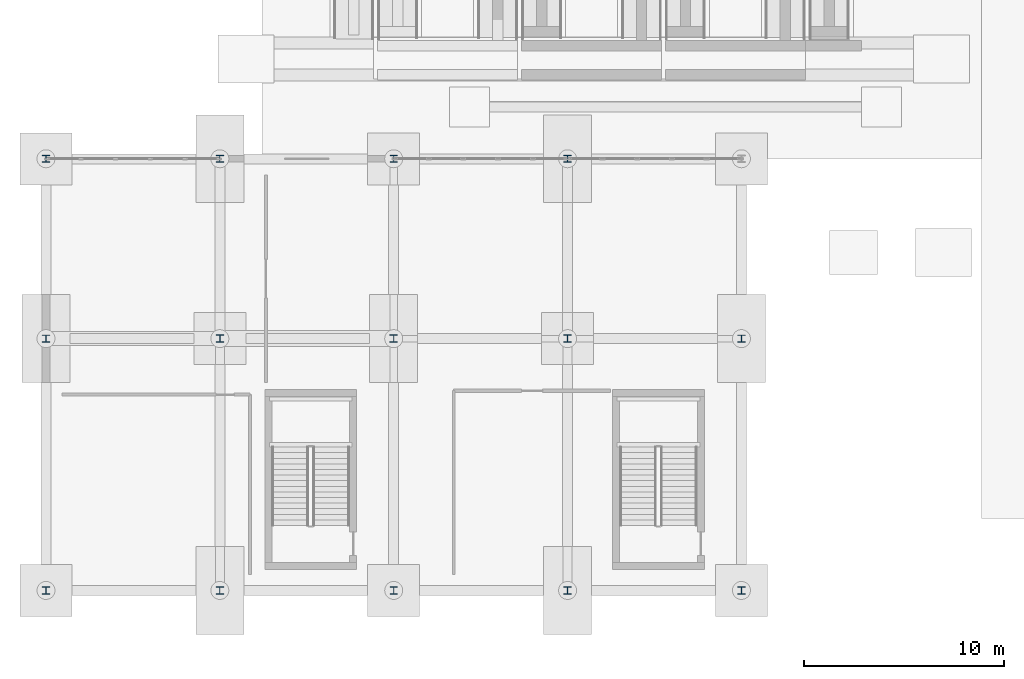
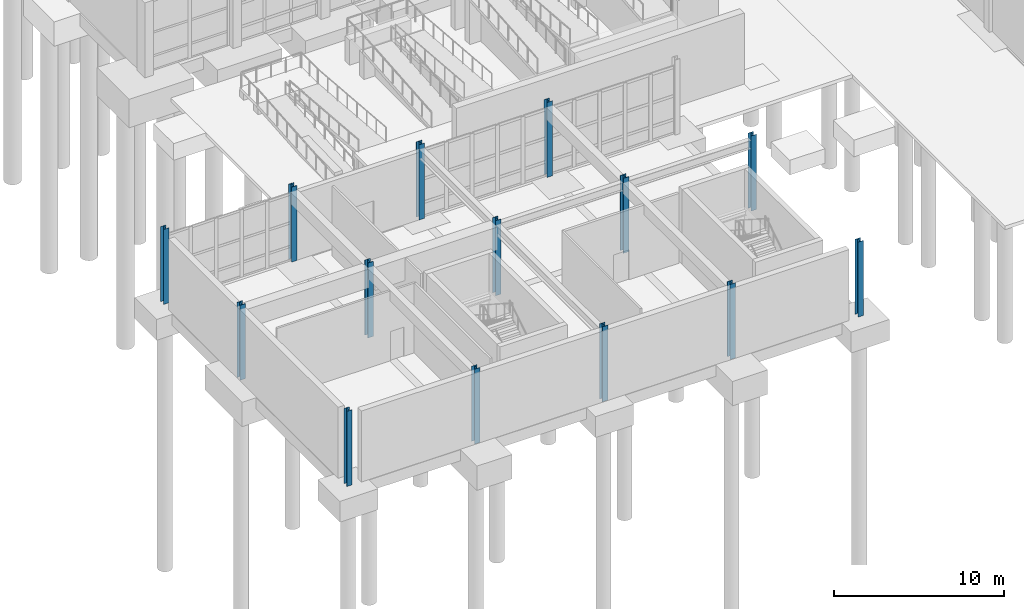
# One storey, part 12 of 69: 14 columns.
"""IFC4 building model written with IfcOpenShell, lengths in metres."""

from ifc_helpers import new_model, si_unit, direction, frame, origin, origin_2d, place, context, subcontext, project, spatial, i_section, extrude, material, material_profile, profile_set, type_object, element, save


model = new_model("IFC4")

# Units and contexts
model_context = context("Model", 3, precision=1e-05, world=origin(), true_north=direction((0.0, 1.0)))
body_context = subcontext(model_context, "Body", "Model", "MODEL_VIEW")
ifc_project = project(units=[si_unit("LENGTHUNIT", "METRE"), si_unit("AREAUNIT", "SQUARE_METRE"), si_unit("VOLUMEUNIT", "CUBIC_METRE"), si_unit("PLANEANGLEUNIT", "RADIAN"), si_unit("MASSUNIT", "GRAM", prefix="KILO")], contexts=[model_context])

# Site, building, storey
site_placement = place(None, origin())
site = spatial("IfcSite", under=ifc_project, at=site_placement, CompositionType="ELEMENT")
building_placement = place(site_placement, origin())
building = spatial("IfcBuilding", under=site, at=building_placement, Name="Vaelkrest Opera House", CompositionType="ELEMENT")
storey_placement = place(building_placement, frame((0.0, 0.0, -5.39990234375)))
storey = spatial("IfcBuildingStorey", under=building, at=storey_placement, Name="B1", CompositionType="ELEMENT", Elevation=-5.39990234375)

# Columns
ifc_material = material(Name="Steel A992 Gr50", Category="steel")
ifc_material_profile_1 = material_profile(ifc_material, i_section(OverallWidth=0.3740234375, OverallDepth=0.3720703125, WebThickness=0.016357421875, FlangeThickness=0.026123046875, at=origin_2d()), Name="W14X132")
ifc_profile_set_1 = profile_set([ifc_material_profile_1], Name="Steel A992 Gr50")
column_type_1 = type_object("IfcColumnType", Name="C11", PredefinedType="COLUMN", material=ifc_profile_set_1)
for number, where, z_axis, x_axis, name in (
    (1, (-77.699951171875, -46.800048828125, 0.0), (0.0, 0.0, 1.0), (1.0, 0.0, 0.0), "Column COL-V5-B1-1417"),
    (2, (-69.0, -46.800048828125, 0.0), (0.0, 0.0, 1.0), (1.0, 0.0, 0.0), "Column COL-V5-B1-1420"),
    (3, (-60.300048828125, -46.800048828125, 0.0), (0.0, 0.0, 1.0), (1.0, 0.0, 0.0), "Column COL-V5-B1-1423"),
):
    element("IfcColumn", number, at=place(storey_placement, frame(where, z_axis=z_axis, x_axis=x_axis)), inside=storey, type_object=column_type_1, Name=name, PredefinedType="COLUMN", context=body_context, shape_type="SweptSolid", body=[
        extrude(i_section(OverallWidth=0.3740234375, OverallDepth=0.3720703125, WebThickness=0.016357421875, FlangeThickness=0.026123046875, at=origin_2d()), origin(), (0.0, 0.0, 1.0), 5.39990234375),
    ])
ifc_material_profile_2 = material_profile(ifc_material, i_section(OverallWidth=0.3701171875, OverallDepth=0.360107421875, WebThickness=0.01220703125, FlangeThickness=0.019775390625, at=origin_2d()), Name="W14X99")
ifc_profile_set_2 = profile_set([ifc_material_profile_2], Name="Steel A992 Gr50")
column_type_2 = type_object("IfcColumnType", Name="C15", PredefinedType="COLUMN", material=ifc_profile_set_2)
for number, where, z_axis, x_axis, name in (
    (4, (-86.39990234375, -59.39990234375, 0.0), (0.0, 0.0, 1.0), (1.0, 0.0, 0.0), "Column COL-V5-B1-1413"),
    (5, (-86.39990234375, -46.800048828125, 0.0), (0.0, 0.0, 1.0), (1.0, 0.0, 0.0), "Column COL-V5-B1-1414"),
    (6, (-86.39990234375, -37.800048828125, 0.0), (0.0, 0.0, 1.0), (1.0, 0.0, 0.0), "Column COL-V5-B1-1415"),
    (7, (-77.699951171875, -59.39990234375, 0.0), (0.0, 0.0, 1.0), (1.0, 0.0, 0.0), "Column COL-V5-B1-1416"),
    (8, (-77.699951171875, -37.800048828125, 0.0), (0.0, 0.0, 1.0), (1.0, 0.0, 0.0), "Column COL-V5-B1-1418"),
    (9, (-69.0, -59.39990234375, 0.0), (0.0, 0.0, 1.0), (1.0, 0.0, 0.0), "Column COL-V5-B1-1419"),
    (10, (-69.0, -37.800048828125, 0.0), (0.0, 0.0, 1.0), (1.0, 0.0, 0.0), "Column COL-V5-B1-1421"),
    (11, (-60.300048828125, -59.39990234375, 0.0), (0.0, 0.0, 1.0), (1.0, 0.0, 0.0), "Column COL-V5-B1-1422"),
    (12, (-60.300048828125, -37.800048828125, 0.0), (0.0, 0.0, 1.0), (1.0, 0.0, 0.0), "Column COL-V5-B1-1424"),
    (13, (-51.60009765625, -59.39990234375, 0.0), (0.0, 0.0, 1.0), (1.0, 0.0, 0.0), "Column COL-V5-B1-1425"),
    (14, (-51.60009765625, -46.800048828125, 0.0), (0.0, 0.0, 1.0), (1.0, 0.0, 0.0), "Column COL-V5-B1-1426"),
):
    element("IfcColumn", number, at=place(storey_placement, frame(where, z_axis=z_axis, x_axis=x_axis)), inside=storey, type_object=column_type_2, Name=name, PredefinedType="COLUMN", context=body_context, shape_type="SweptSolid", body=[
        extrude(i_section(OverallWidth=0.3701171875, OverallDepth=0.360107421875, WebThickness=0.01220703125, FlangeThickness=0.019775390625, at=origin_2d()), origin(), (0.0, 0.0, 1.0), 5.39990234375),
    ])

save(model, "model.ifc")
